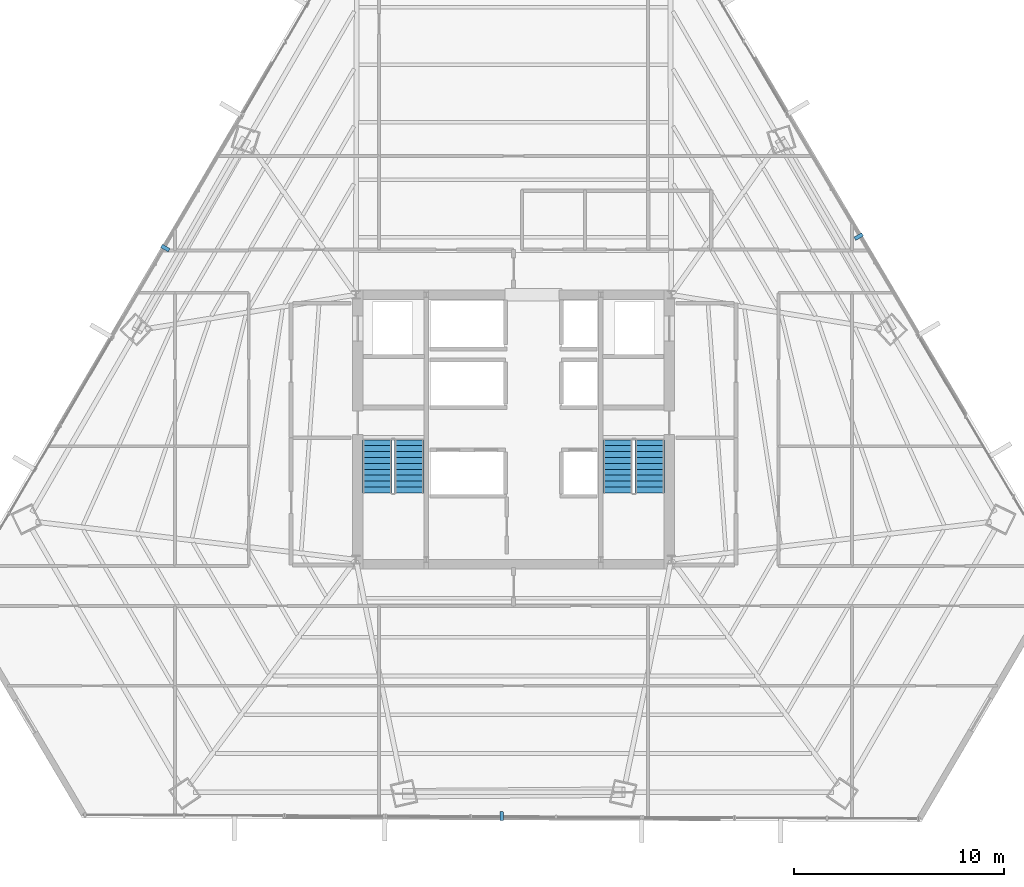
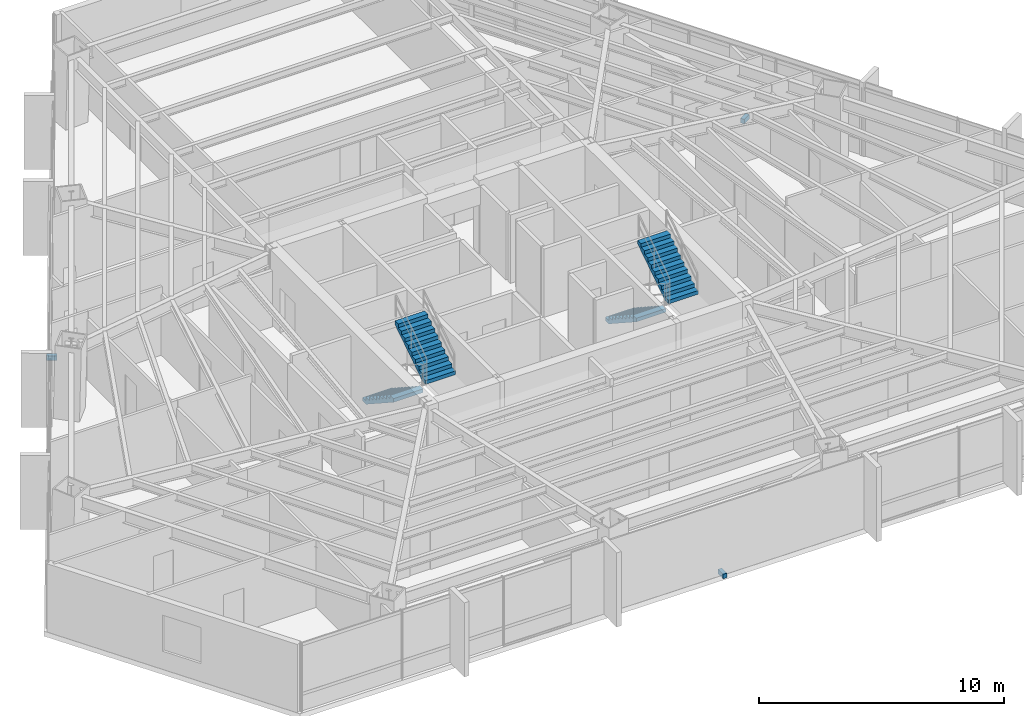
# One storey, part 33 of 37: 4 stair flights, 3 discrete accessories, 2 elements without a shape of their own.
"""IFC4 building model written with IfcOpenShell, lengths in metres."""

from ifc_helpers import new_model, si_unit, direction, frame, origin, origin_2d, place, context, subcontext, project, spatial, polyline, rectangle, outline, extrude, source, transform, mapped, material, type_object, type_shapes, element, aggregate, save


model = new_model("IFC4")

# Units and contexts
model_context = context("Model", 3, precision=1e-05, world=origin(), true_north=direction((0.0, 1.0)))
body_context = subcontext(model_context, "Body", "Model", "MODEL_VIEW")
ifc_project = project(units=[si_unit("LENGTHUNIT", "METRE"), si_unit("AREAUNIT", "SQUARE_METRE"), si_unit("VOLUMEUNIT", "CUBIC_METRE"), si_unit("PLANEANGLEUNIT", "RADIAN"), si_unit("MASSUNIT", "GRAM", prefix="KILO")], contexts=[model_context])

# Site, building, storey
site_placement = place(None, origin())
site = spatial("IfcSite", under=ifc_project, at=site_placement, CompositionType="ELEMENT")
building_placement = place(site_placement, origin())
building = spatial("IfcBuilding", under=site, at=building_placement, Name="Caelisora Broadcast Tower", CompositionType="ELEMENT")
storey_placement = place(building_placement, frame((0.0, 0.0, 101.75)))
storey = spatial("IfcBuildingStorey", under=building, at=storey_placement, Name="L26", CompositionType="ELEMENT", Elevation=101.75)

# Stair, stair flights
ifc_material_1 = material(Name="Concrete 40 MPa (AS 3600 N40)", Category="concrete")
stair_type_1 = type_object("IfcStairType", Name="ST-1", PredefinedType="HALF_TURN_STAIR", material=ifc_material_1)
stair_1_placement = place(storey_placement, origin())
stair_1 = element("IfcStair", 1, at=stair_1_placement, inside=storey, type_object=stair_type_1, Name="L26 West Fire-Isolated Tower Stair", PredefinedType="HALF_TURN_STAIR")
stair_flight_type = type_object("IfcStairFlightType", Name="STF-2", PredefinedType="STRAIGHT", material=ifc_material_1)
stair_flight_1_placement = place(storey_placement, frame((31.52001953125, 23.10009765625, 0.0), z_axis=(0.0, 0.0, 1.0), x_axis=(0.0, -1.0, 0.0)))
stair_flight_1 = element("IfcStairFlight", 2, at=stair_flight_1_placement, type_object=stair_flight_type, Name="ST-1 flight 1", NumberOfRisers=10, NumberOfTreads=9, PredefinedType="STRAIGHT", RiserHeight=0.1825, TreadLength=0.28, context=body_context, shape_type="SweptSolid", body=[
    extrude(outline(polyline([(0.0, 0.0), (0.0, 0.1826171875), (0.280029296875, 0.1826171875), (0.280029296875, 0.364990234375), (0.56005859375, 0.364990234375), (0.56005859375, 0.547607421875), (0.840087890625, 0.547607421875), (0.840087890625, 0.72998046875), (1.1201171875, 0.72998046875), (1.1201171875, 0.91259765625), (1.39990234375, 0.91259765625), (1.39990234375, 1.094970703125), (1.679931640625, 1.094970703125), (1.679931640625, 1.277587890625), (1.9599609375, 1.277587890625), (1.9599609375, 1.4599609375), (2.239990234375, 1.4599609375), (2.239990234375, 1.642578125), (2.52001953125, 1.642578125), (2.52001953125, 1.824951171875), (2.52001953125, 1.463623046875), (0.2744140625, 0.0), (0.0, 0.0)])), frame((0.0, 0.699951171875, 0.0), z_axis=(0.0, -1.0, 0.0), x_axis=(1.0, 0.0, 0.0)), (0.0, 0.0, 1.0), 1.39990234375),
])
stair_flight_2_placement = place(storey_placement, frame((33.0400390625, 20.580078125, 1.824951171875), z_axis=(0.0, 0.0, 1.0), x_axis=(0.0, 1.0, 0.0)))
stair_flight_2 = element("IfcStairFlight", 3, at=stair_flight_2_placement, type_object=stair_flight_type, Name="ST-1 flight 2", NumberOfRisers=10, NumberOfTreads=9, PredefinedType="STRAIGHT", RiserHeight=0.1825, TreadLength=0.28, context=body_context, shape_type="SweptSolid", body=[
    extrude(outline(polyline([(0.0, 0.0), (0.0, 0.1826171875), (0.280029296875, 0.1826171875), (0.280029296875, 0.364990234375), (0.56005859375, 0.364990234375), (0.56005859375, 0.547607421875), (0.840087890625, 0.547607421875), (0.840087890625, 0.72998046875), (1.1201171875, 0.72998046875), (1.1201171875, 0.91259765625), (1.39990234375, 0.91259765625), (1.39990234375, 1.094970703125), (1.679931640625, 1.094970703125), (1.679931640625, 1.277587890625), (1.9599609375, 1.277587890625), (1.9599609375, 1.4599609375), (2.239990234375, 1.4599609375), (2.239990234375, 1.642578125), (2.52001953125, 1.642578125), (2.52001953125, 1.824951171875), (2.52001953125, 1.463623046875), (0.2744140625, 0.0), (0.0, 0.0)])), frame((0.0, 0.699951171875, 0.0), z_axis=(0.0, -1.0, 0.0), x_axis=(1.0, 0.0, 0.0)), (0.0, 0.0, 1.0), 1.39990234375),
])
aggregate(stair_1, [stair_flight_1, stair_flight_2])

stair_type_2 = type_object("IfcStairType", Name="ST-2", PredefinedType="HALF_TURN_STAIR", material=ifc_material_1)
stair_2_placement = place(storey_placement, origin())
stair_2 = element("IfcStair", 4, at=stair_2_placement, inside=storey, type_object=stair_type_2, Name="L26 East Fire-Isolated Tower Stair", PredefinedType="HALF_TURN_STAIR")
stair_flight_3_placement = place(storey_placement, frame((42.9599609375, 23.10009765625, 0.0), z_axis=(0.0, 0.0, 1.0), x_axis=(0.0, -1.0, 0.0)))
stair_flight_3 = element("IfcStairFlight", 5, at=stair_flight_3_placement, type_object=stair_flight_type, Name="ST-2 flight 1", NumberOfRisers=10, NumberOfTreads=9, PredefinedType="STRAIGHT", RiserHeight=0.1825, TreadLength=0.28, context=body_context, shape_type="SweptSolid", body=[
    extrude(outline(polyline([(0.0, 0.0), (0.0, 0.1826171875), (0.280029296875, 0.1826171875), (0.280029296875, 0.364990234375), (0.56005859375, 0.364990234375), (0.56005859375, 0.547607421875), (0.840087890625, 0.547607421875), (0.840087890625, 0.72998046875), (1.1201171875, 0.72998046875), (1.1201171875, 0.91259765625), (1.39990234375, 0.91259765625), (1.39990234375, 1.094970703125), (1.679931640625, 1.094970703125), (1.679931640625, 1.277587890625), (1.9599609375, 1.277587890625), (1.9599609375, 1.4599609375), (2.239990234375, 1.4599609375), (2.239990234375, 1.642578125), (2.52001953125, 1.642578125), (2.52001953125, 1.824951171875), (2.52001953125, 1.463623046875), (0.2744140625, 0.0), (0.0, 0.0)])), frame((0.0, 0.699951171875, 0.0), z_axis=(0.0, -1.0, 0.0), x_axis=(1.0, 0.0, 0.0)), (0.0, 0.0, 1.0), 1.39990234375),
])
stair_flight_4_placement = place(storey_placement, frame((44.47998046875, 20.580078125, 1.824951171875), z_axis=(0.0, 0.0, 1.0), x_axis=(0.0, 1.0, 0.0)))
stair_flight_4 = element("IfcStairFlight", 6, at=stair_flight_4_placement, type_object=stair_flight_type, Name="ST-2 flight 2", NumberOfRisers=10, NumberOfTreads=9, PredefinedType="STRAIGHT", RiserHeight=0.1825, TreadLength=0.28, context=body_context, shape_type="SweptSolid", body=[
    extrude(outline(polyline([(0.0, 0.0), (0.0, 0.1826171875), (0.280029296875, 0.1826171875), (0.280029296875, 0.364990234375), (0.56005859375, 0.364990234375), (0.56005859375, 0.547607421875), (0.840087890625, 0.547607421875), (0.840087890625, 0.72998046875), (1.1201171875, 0.72998046875), (1.1201171875, 0.91259765625), (1.39990234375, 0.91259765625), (1.39990234375, 1.094970703125), (1.679931640625, 1.094970703125), (1.679931640625, 1.277587890625), (1.9599609375, 1.277587890625), (1.9599609375, 1.4599609375), (2.239990234375, 1.4599609375), (2.239990234375, 1.642578125), (2.52001953125, 1.642578125), (2.52001953125, 1.824951171875), (2.52001953125, 1.463623046875), (0.2744140625, 0.0), (0.0, 0.0)])), frame((0.0, 0.699951171875, 0.0), z_axis=(0.0, -1.0, 0.0), x_axis=(1.0, 0.0, 0.0)), (0.0, 0.0, 1.0), 1.39990234375),
])
aggregate(stair_2, [stair_flight_3, stair_flight_4])

# Discrete accessories
ifc_material_2 = material(Name="Steel Grade 350 (AS/NZS 3679.1)", Category="steel")
discrete_accessory_type = type_object("IfcDiscreteAccessoryType", Name="BRK-1", PredefinedType="BRACKET", material=ifc_material_2)
shared_shape = source(origin(), body_context, "Body", "SweptSolid", [
    extrude(rectangle(XDim=0.179931640625, YDim=0.419921875, at=origin_2d()), origin(), (0.0, 0.0, 1.0), 0.219970703125),
])
type_shapes(discrete_accessory_type, [shared_shape])
for number, where, z_axis, x_axis, name in (
    (7, (21.438720703125, 32.220458984375, -0.16015625), (0.0, 0.0, 1.0), (-0.505431492718, -0.862866737202, 0.0), "L26 solar screen outrigger bracket #1"),
    (8, (37.438232421875, 5.201904296875, -0.16015625), (0.0, 0.0, 1.0), (0.999989703949, -0.004537840481, 0.0), "L26 solar screen outrigger bracket #2"),
    (9, (54.4140625, 32.765869140625, -0.16015625), (0.0, 0.0, 1.0), (-0.509341840379, 0.860564285593, 0.0), "L26 solar screen outrigger bracket #3"),
):
    element("IfcDiscreteAccessory", number, at=place(storey_placement, frame(where, z_axis=z_axis, x_axis=x_axis)), inside=storey, type_object=discrete_accessory_type, Name=name, PredefinedType="BRACKET", context=body_context, shape_type="MappedRepresentation", body=[
        mapped(shared_shape, transform((0.0, 0.0, 0.0), scale=1.0)),
    ])

save(model, "model.ifc")
